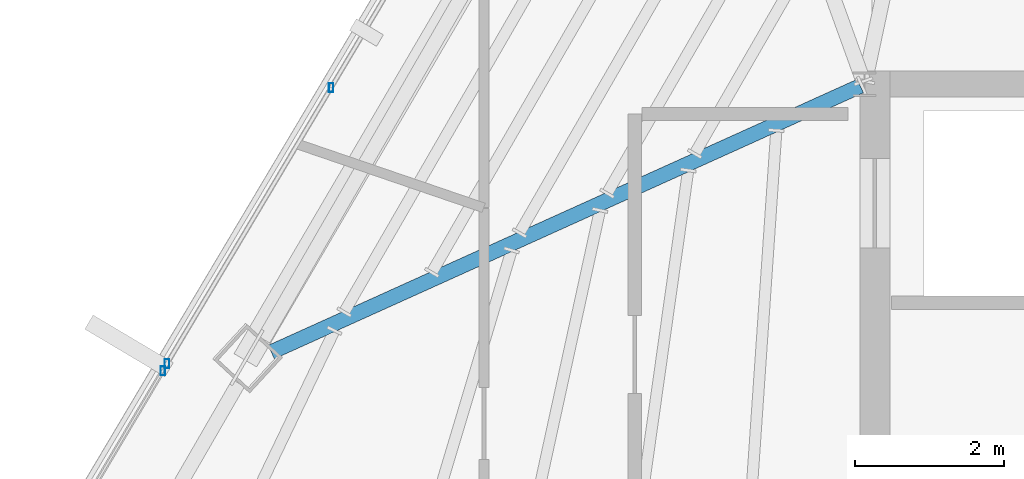
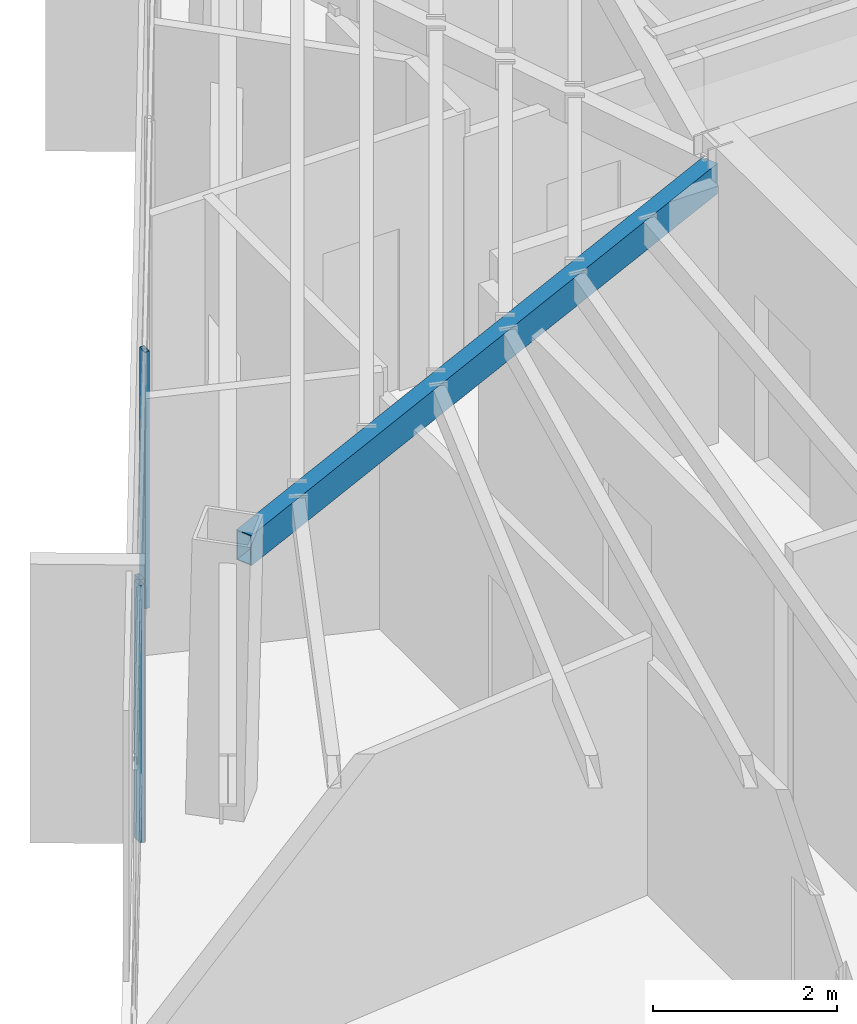
# One storey, part 17 of 47: 3 members, 1 beam, 2 elements without a shape of their own.
"""IFC4 building model written with IfcOpenShell, lengths in metres."""

from ifc_helpers import new_model, si_unit, direction, frame, origin, origin_2d, place, context, subcontext, project, spatial, hollow_rectangle, extrude, source, transform, mapped, material, material_profile, profile_set, type_object, type_shapes, element, aggregate, save


model = new_model("IFC4")

# Units and contexts
model_context = context("Model", 3, precision=1e-05, world=origin(), true_north=direction((0.0, 1.0)))
body_context = subcontext(model_context, "Body", "Model", "MODEL_VIEW")
ifc_project = project(units=[si_unit("LENGTHUNIT", "METRE"), si_unit("AREAUNIT", "SQUARE_METRE"), si_unit("VOLUMEUNIT", "CUBIC_METRE"), si_unit("PLANEANGLEUNIT", "RADIAN"), si_unit("MASSUNIT", "GRAM", prefix="KILO")], contexts=[model_context])

# Site, building, storey
site_placement = place(None, origin())
site = spatial("IfcSite", under=ifc_project, at=site_placement, CompositionType="ELEMENT")
building_placement = place(site_placement, origin())
building = spatial("IfcBuilding", under=site, at=building_placement, Name="Caelisora Broadcast Tower", CompositionType="ELEMENT")
storey_placement = place(building_placement, frame((0.0, 0.0, 248.10009765625)))
storey = spatial("IfcBuildingStorey", under=building, at=storey_placement, Name="L65", CompositionType="ELEMENT", Elevation=248.10009765625)

# Beam
ifc_material_1 = material(Name="Steel Grade 350 (AS/NZS 1163 C350L0)", Category="steel")
ifc_material_profile_1 = material_profile(ifc_material_1, hollow_rectangle(XDim=0.199951171875, YDim=0.39990234375, WallThickness=0.012451171875, at=origin_2d()), Name="Steel Grade 350 (AS/NZS 1163 C350L0)")
ifc_profile_set_1 = profile_set([ifc_material_profile_1], Name="Steel Grade 350 (AS/NZS 1163 C350L0)")
beam_type = type_object("IfcBeamType", Name="PG07", PredefinedType="BEAM", material=ifc_profile_set_1)
shared_shape_1 = source(origin(), body_context, "Body", "SweptSolid", [
    extrude(hollow_rectangle(XDim=0.199951171875, YDim=0.39990234375, WallThickness=0.012451171875, at=origin_2d()), origin(), (0.0, 0.0, 1.0), 8.666748046875),
])
type_shapes(beam_type, [shared_shape_1])
beam_placement = place(storey_placement, frame((30.4453125, 29.975341796875, 3.199951171875), z_axis=(-0.911319122505, -0.411700688554, 0.0), x_axis=(0.411700688554, -0.911319122505, 0.0)))
element("IfcBeam", 1, at=beam_placement, inside=storey, type_object=beam_type, Name="L65 beam PG07", PredefinedType="BEAM", context=body_context, shape_type="MappedRepresentation", body=[
    mapped(shared_shape_1, transform((0.0, 0.0, 0.0), scale=1.0)),
])

# Curtain wall, member
ifc_material_2 = material(Name="Unitised Aluminium and Low-E Glass Curtain Wall", Category="glass")
curtain_wall_type_1 = type_object("IfcCurtainWallType", Name="CW-Z5", PredefinedType="NOTDEFINED", material=ifc_material_2)
curtain_wall_1_placement = place(storey_placement, origin())
curtain_wall_1 = element("IfcCurtainWall", 2, at=curtain_wall_1_placement, inside=storey, type_object=curtain_wall_type_1, Name="L65 curtain wall CW-Z5", PredefinedType="NOTDEFINED")
ifc_material_3 = material(Name="Aluminium 6063-T6 Anodised Terracotta Bronze", Category="aluminium")
ifc_material_profile_2 = material_profile(ifc_material_3, hollow_rectangle(XDim=0.06005859375, YDim=0.1201171875, WallThickness=0.0029296875, at=origin_2d()), Name="Aluminium 6063-T6 Anodised Terracotta Bronze")
ifc_profile_set_2 = profile_set([ifc_material_profile_2], Name="Aluminium 6063-T6 Anodised Terracotta Bronze")
member_type = type_object("IfcMemberType", Name="CWM-04", PredefinedType="MULLION", material=ifc_profile_set_2)
shared_shape_2 = source(origin(), body_context, "Body", "SweptSolid", [
    extrude(hollow_rectangle(XDim=0.06005859375, YDim=0.1201171875, WallThickness=0.0029296875, at=origin_2d()), origin(), (0.0, 0.0, 1.0), 3.39990234375),
])
type_shapes(member_type, [shared_shape_2])
member_1_placement = place(storey_placement, frame((21.09228515625, 26.156982421875, 0.0), z_axis=(0.0, 0.0, 1.0), x_axis=(1.0, 0.0, 0.0)))
member_1 = element("IfcMember", 3, at=member_1_placement, type_object=member_type, Name="L65-CW-B09 mullion #3", PredefinedType="MULLION", context=body_context, shape_type="MappedRepresentation", body=[
    mapped(shared_shape_2, transform((0.0, 0.0, 0.0), scale=1.0)),
])
aggregate(curtain_wall_1, [member_1])

# Curtain wall, members
ifc_material_4 = material(Name="Unitised Aluminium Insulated Shadow-Box Spandrel Curtain Wall", Category="aluminium")
curtain_wall_type_2 = type_object("IfcCurtainWallType", Name="CW-SP3", PredefinedType="NOTDEFINED", material=ifc_material_4)
curtain_wall_2_placement = place(storey_placement, origin())
curtain_wall_2 = element("IfcCurtainWall", 4, at=curtain_wall_2_placement, inside=storey, type_object=curtain_wall_type_2, Name="L65 curtain wall CW-SP3", PredefinedType="NOTDEFINED")
member_2_placement = place(storey_placement, frame((21.1484375, 26.25146484375, 0.0), z_axis=(0.0, 0.0, 1.0), x_axis=(1.0, 0.0, 0.0)))
member_2 = element("IfcMember", 5, at=member_2_placement, type_object=member_type, Name="L65-CW-B10 mullion #0", PredefinedType="MULLION", context=body_context, shape_type="MappedRepresentation", body=[
    mapped(shared_shape_2, transform((0.0, 0.0, 0.0), scale=1.0)),
])
member_3_placement = place(storey_placement, frame((23.35009765625, 29.954345703125, 0.0), z_axis=(0.0, 0.0, 1.0), x_axis=(1.0, 0.0, 0.0)))
member_3 = element("IfcMember", 6, at=member_3_placement, type_object=member_type, Name="L65-CW-B10 mullion #1", PredefinedType="MULLION", context=body_context, shape_type="MappedRepresentation", body=[
    mapped(shared_shape_2, transform((0.0, 0.0, 0.0), scale=1.0)),
])
aggregate(curtain_wall_2, [member_2, member_3])

save(model, "model.ifc")
